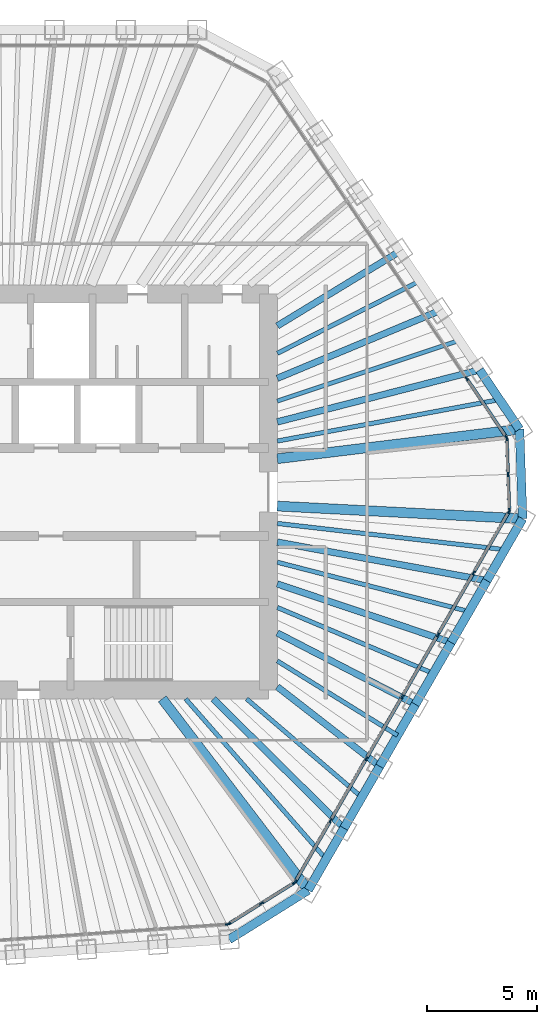
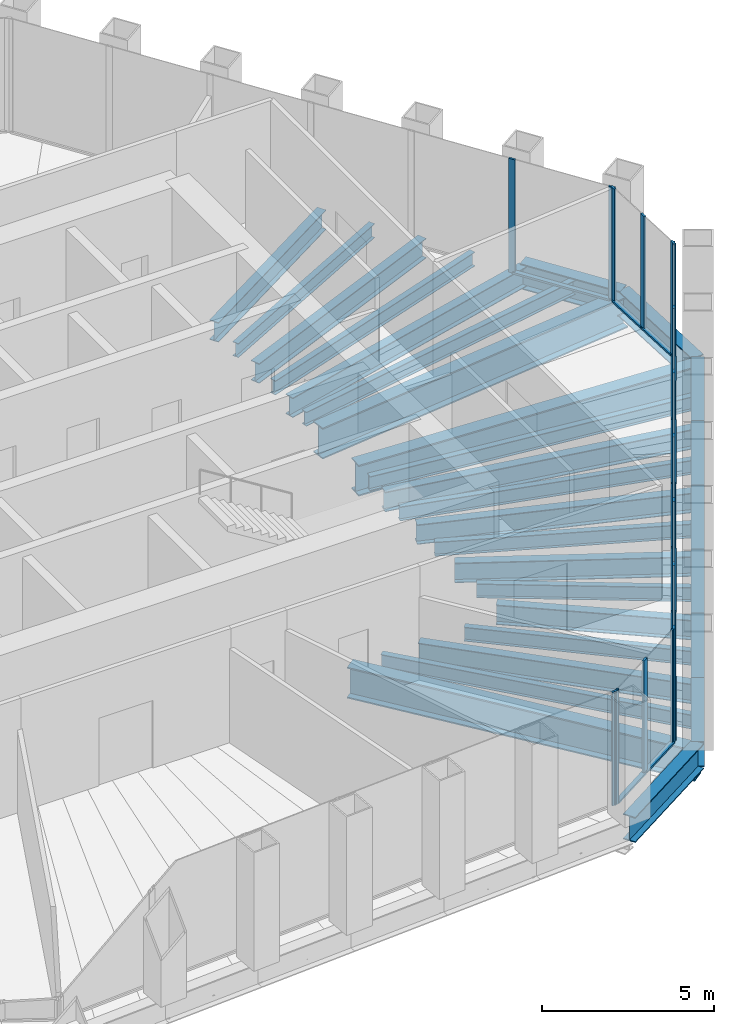
# One storey, part 5 of 14: 29 beams, 27 members, 5 elements without a shape of their own.
"""IFC4 building model written with IfcOpenShell, lengths in metres."""

from ifc_helpers import new_model, si_unit, direction, frame, origin, origin_2d, place, context, subcontext, project, spatial, rectangle, i_section, extrude, material, material_profile, profile_set, type_object, element, aggregate, save


model = new_model("IFC4")

# Units and contexts
model_context = context("Model", 3, precision=1e-05, world=origin(), true_north=direction((0.0, 1.0)))
body_context = subcontext(model_context, "Body", "Model", "MODEL_VIEW")
ifc_project = project(units=[si_unit("LENGTHUNIT", "METRE"), si_unit("AREAUNIT", "SQUARE_METRE"), si_unit("VOLUMEUNIT", "CUBIC_METRE"), si_unit("PLANEANGLEUNIT", "RADIAN"), si_unit("MASSUNIT", "GRAM", prefix="KILO")], contexts=[model_context])

# Site, building, storey
site_placement = place(None, origin())
site = spatial("IfcSite", under=ifc_project, at=site_placement, CompositionType="ELEMENT")
building_placement = place(site_placement, origin())
building = spatial("IfcBuilding", under=site, at=building_placement, Name="Qingtian Harvest Tower", CompositionType="ELEMENT")
storey_placement = place(building_placement, frame((0.0, 0.0, 316.60009765625)))
storey = spatial("IfcBuildingStorey", under=building, at=storey_placement, Name="L70", CompositionType="ELEMENT", Elevation=316.60009765625)

# Beams
ifc_material_1 = material(Name="Steel SM570MC", Category="steel")
ifc_material_profile_1 = material_profile(ifc_material_1, i_section(OverallWidth=0.449951171875, OverallDepth=1.10009765625, WebThickness=0.02197265625, FlangeThickness=0.044921875, at=origin_2d()), Name="H1100x450x22x45")
ifc_profile_set_1 = profile_set([ifc_material_profile_1], Name="Steel SM570MC")
beam_type_1 = type_object("IfcBeamType", Name="Corner floor beam FB8 H1100x450x22x45", PredefinedType="BEAM", material=ifc_profile_set_1)
beam_1_placement = place(storey_placement, frame((23.405517578125, 2.85400390625, -0.72021484375), z_axis=(-0.992647039178, -0.121044849583, 0.0), x_axis=(0.121044849583, -0.992647039178, 0.0)))
element("IfcBeam", 1, at=beam_1_placement, inside=storey, type_object=beam_type_1, Name="Floor beam FB8 NE6", PredefinedType="BEAM", context=body_context, shape_type="SweptSolid", body=[
    extrude(i_section(OverallWidth=0.449951171875, OverallDepth=1.10009765625, WebThickness=0.02197265625, FlangeThickness=0.044921875, at=origin_2d()), origin(), (0.0, 0.0, 1.0), 11.087158203125),
])
beam_2_placement = place(storey_placement, frame((23.547607421875, -1.21435546875, -0.72021484375), z_axis=(-0.998672618964, 0.051507282312, 0.0), x_axis=(-0.051507282312, -0.998672618964, 0.0)))
element("IfcBeam", 2, at=beam_2_placement, inside=storey, type_object=beam_type_1, Name="Floor beam FB8 SE0", PredefinedType="BEAM", context=body_context, shape_type="SweptSolid", body=[
    extrude(i_section(OverallWidth=0.449951171875, OverallDepth=1.10009765625, WebThickness=0.02197265625, FlangeThickness=0.044921875, at=origin_2d()), origin(), (0.0, 0.0, 1.0), 11.16259765625),
])
beam_3_placement = place(storey_placement, frame((13.803466796875, -18.091552734375, -0.72021484375), z_axis=(-0.606571927806, 0.795028613572, 0.0), x_axis=(-0.795028613572, -0.606571927806, 0.0)))
element("IfcBeam", 3, at=beam_3_placement, inside=storey, type_object=beam_type_1, Name="Floor beam FB8 SE6", PredefinedType="BEAM", context=body_context, shape_type="SweptSolid", body=[
    extrude(i_section(OverallWidth=0.449951171875, OverallDepth=1.10009765625, WebThickness=0.02197265625, FlangeThickness=0.044921875, at=origin_2d()), origin(), (0.0, 0.0, 1.0), 10.9326171875),
])
ifc_material_2 = material(Name="Steel SN490B", Category="steel")
ifc_material_profile_2 = material_profile(ifc_material_2, i_section(OverallWidth=0.300048828125, OverallDepth=0.699951171875, WebThickness=0.012939453125, FlangeThickness=0.02392578125, at=origin_2d()), Name="H700x300x13x24")
ifc_profile_set_2 = profile_set([ifc_material_profile_2], Name="Steel SN490B")
beam_type_2 = type_object("IfcBeamType", Name="Floor beam FB4 H700x300x13x24", PredefinedType="BEAM", material=ifc_profile_set_2)
beam_4_placement = place(storey_placement, frame((17.956787109375, 10.93212890625, -0.52001953125), z_axis=(-0.854157247087, -0.520014804836, 0.0), x_axis=(0.520014804836, -0.854157247087, 0.0)))
element("IfcBeam", 4, at=beam_4_placement, inside=storey, type_object=beam_type_2, Name="Floor beam FB4 NE3", PredefinedType="BEAM", context=body_context, shape_type="SweptSolid", body=[
    extrude(i_section(OverallWidth=0.300048828125, OverallDepth=0.699951171875, WebThickness=0.012939453125, FlangeThickness=0.02392578125, at=origin_2d()), origin(), (0.0, 0.0, 1.0), 6.505615234375),
])
beam_5_placement = place(storey_placement, frame((19.77294921875, 8.2392578125, -0.52001953125), z_axis=(-0.923069688542, -0.38463274704, 0.0), x_axis=(0.38463274704, -0.923069688542, 0.0)))
element("IfcBeam", 5, at=beam_5_placement, inside=storey, type_object=beam_type_2, Name="Floor beam FB4 NE4", PredefinedType="BEAM", context=body_context, shape_type="SweptSolid", body=[
    extrude(i_section(OverallWidth=0.300048828125, OverallDepth=0.699951171875, WebThickness=0.012939453125, FlangeThickness=0.02392578125, at=origin_2d()), origin(), (0.0, 0.0, 1.0), 7.987548828125),
])
beam_6_placement = place(storey_placement, frame((21.58935546875, 5.546630859375, -0.52001953125), z_axis=(-0.96854787986, -0.248827258189, 0.0), x_axis=(0.248827258189, -0.96854787986, 0.0)))
element("IfcBeam", 6, at=beam_6_placement, inside=storey, type_object=beam_type_2, Name="Floor beam FB4 NE5", PredefinedType="BEAM", context=body_context, shape_type="SweptSolid", body=[
    extrude(i_section(OverallWidth=0.300048828125, OverallDepth=0.699951171875, WebThickness=0.012939453125, FlangeThickness=0.02392578125, at=origin_2d()), origin(), (0.0, 0.0, 1.0), 9.48779296875),
])
beam_7_placement = place(storey_placement, frame((21.923583984375, -4.027099609375, -0.52001953125), z_axis=(-0.983546800525, 0.180653511389, 0.0), x_axis=(-0.180653511389, -0.983546800525, 0.0)))
element("IfcBeam", 7, at=beam_7_placement, inside=storey, type_object=beam_type_2, Name="Floor beam FB4 SE1", PredefinedType="BEAM", context=body_context, shape_type="SweptSolid", body=[
    extrude(i_section(OverallWidth=0.300048828125, OverallDepth=0.699951171875, WebThickness=0.012939453125, FlangeThickness=0.02392578125, at=origin_2d()), origin(), (0.0, 0.0, 1.0), 9.68310546875),
])
beam_8_placement = place(storey_placement, frame((20.299560546875, -6.840087890625, -0.52001953125), z_axis=(-0.947647345861, 0.319318818553, 0.0), x_axis=(-0.319318818553, -0.947647345861, 0.0)))
element("IfcBeam", 8, at=beam_8_placement, inside=storey, type_object=beam_type_2, Name="Floor beam FB4 SE2", PredefinedType="BEAM", context=body_context, shape_type="SweptSolid", body=[
    extrude(i_section(OverallWidth=0.300048828125, OverallDepth=0.699951171875, WebThickness=0.012939453125, FlangeThickness=0.02392578125, at=origin_2d()), origin(), (0.0, 0.0, 1.0), 8.336181640625),
])
beam_9_placement = place(storey_placement, frame((18.675537109375, -9.65283203125, -0.52001953125), z_axis=(-0.888354253651, 0.459158708967, 0.0), x_axis=(-0.459158708967, -0.888354253651, 0.0)))
element("IfcBeam", 9, at=beam_9_placement, inside=storey, type_object=beam_type_2, Name="Floor beam FB4 SE3", PredefinedType="BEAM", context=body_context, shape_type="SweptSolid", body=[
    extrude(i_section(OverallWidth=0.300048828125, OverallDepth=0.699951171875, WebThickness=0.012939453125, FlangeThickness=0.02392578125, at=origin_2d()), origin(), (0.0, 0.0, 1.0), 7.064453125),
])
beam_10_placement = place(storey_placement, frame((17.051513671875, -12.4658203125, -0.52001953125), z_axis=(-0.789532919969, 0.613708211029, 0.0), x_axis=(-0.613708211029, -0.789532919969, 0.0)))
element("IfcBeam", 10, at=beam_10_placement, inside=storey, type_object=beam_type_2, Name="Floor beam FB4 SE4", PredefinedType="BEAM", context=body_context, shape_type="SweptSolid", body=[
    extrude(i_section(OverallWidth=0.300048828125, OverallDepth=0.699951171875, WebThickness=0.012939453125, FlangeThickness=0.02392578125, at=origin_2d()), origin(), (0.0, 0.0, 1.0), 5.8916015625),
])
beam_11_placement = place(storey_placement, frame((15.427490234375, -15.278564453125, -0.52001953125), z_axis=(-0.71051769643, 0.703679332552, 0.0), x_axis=(-0.703679332552, -0.71051769643, 0.0)))
element("IfcBeam", 11, at=beam_11_placement, inside=storey, type_object=beam_type_2, Name="Floor beam FB4 SE5", PredefinedType="BEAM", context=body_context, shape_type="SweptSolid", body=[
    extrude(i_section(OverallWidth=0.300048828125, OverallDepth=0.699951171875, WebThickness=0.012939453125, FlangeThickness=0.02392578125, at=origin_2d()), origin(), (0.0, 0.0, 1.0), 8.354248046875),
])
ifc_material_3 = material(Name="Steel SN490B", Category="steel")
ifc_material_profile_3 = material_profile(ifc_material_3, i_section(OverallWidth=0.199951171875, OverallDepth=0.5, WebThickness=0.010009765625, FlangeThickness=0.01611328125, at=origin_2d()), Name="H500x200x10x16")
ifc_profile_set_3 = profile_set([ifc_material_profile_3], Name="Steel SN490B")
beam_type_3 = type_object("IfcBeamType", Name="Floor joist J3 H500x200x10x16", PredefinedType="JOIST", material=ifc_profile_set_3)
beam_12_placement = place(storey_placement, frame((18.864990234375, 9.585693359375, -0.420166015625), z_axis=(-0.891519956149, -0.452981421018, 0.0), x_axis=(0.452981421018, -0.891519956149, 0.0)))
element("IfcBeam", 12, at=beam_12_placement, inside=storey, type_object=beam_type_3, Name="Floor joist J3 NE3", PredefinedType="JOIST", context=body_context, shape_type="SweptSolid", body=[
    extrude(i_section(OverallWidth=0.199951171875, OverallDepth=0.5, WebThickness=0.010009765625, FlangeThickness=0.01611328125, at=origin_2d()), origin(), (0.0, 0.0, 1.0), 7.251708984375),
])
beam_13_placement = place(storey_placement, frame((20.68115234375, 6.89306640625, -0.420166015625), z_axis=(-0.948688891587, -0.316210984914, 0.0), x_axis=(0.316210984914, -0.948688891587, 0.0)))
element("IfcBeam", 13, at=beam_13_placement, inside=storey, type_object=beam_type_3, Name="Floor joist J3 NE4", PredefinedType="JOIST", context=body_context, shape_type="SweptSolid", body=[
    extrude(i_section(OverallWidth=0.199951171875, OverallDepth=0.5, WebThickness=0.010009765625, FlangeThickness=0.01611328125, at=origin_2d()), origin(), (0.0, 0.0, 1.0), 8.729248046875),
])
beam_14_placement = place(storey_placement, frame((22.49755859375, 4.2001953125, -0.420166015625), z_axis=(-0.983018248018, -0.183507831067, 0.0), x_axis=(0.183507831067, -0.983018248018, 0.0)))
element("IfcBeam", 14, at=beam_14_placement, inside=storey, type_object=beam_type_3, Name="Floor joist J3 NE5", PredefinedType="JOIST", context=body_context, shape_type="SweptSolid", body=[
    extrude(i_section(OverallWidth=0.199951171875, OverallDepth=0.5, WebThickness=0.010009765625, FlangeThickness=0.01611328125, at=origin_2d()), origin(), (0.0, 0.0, 1.0), 10.27197265625),
])
beam_15_placement = place(storey_placement, frame((22.735595703125, -2.62060546875, -0.420166015625), z_axis=(-0.993421775836, 0.114512773499, 0.0), x_axis=(-0.114512773499, -0.993421775836, 0.0)))
element("IfcBeam", 15, at=beam_15_placement, inside=storey, type_object=beam_type_3, Name="Floor joist J3 SE0", PredefinedType="JOIST", context=body_context, shape_type="SweptSolid", body=[
    extrude(i_section(OverallWidth=0.199951171875, OverallDepth=0.5, WebThickness=0.010009765625, FlangeThickness=0.01611328125, at=origin_2d()), origin(), (0.0, 0.0, 1.0), 10.404052734375),
])
beam_16_placement = place(storey_placement, frame((21.111572265625, -5.43359375, -0.420166015625), z_axis=(-0.968438109541, 0.249254143374, 0.0), x_axis=(-0.249254143374, -0.968438109541, 0.0)))
element("IfcBeam", 16, at=beam_16_placement, inside=storey, type_object=beam_type_3, Name="Floor joist J3 SE1", PredefinedType="JOIST", context=body_context, shape_type="SweptSolid", body=[
    extrude(i_section(OverallWidth=0.199951171875, OverallDepth=0.5, WebThickness=0.010009765625, FlangeThickness=0.01611328125, at=origin_2d()), origin(), (0.0, 0.0, 1.0), 8.99560546875),
])
beam_17_placement = place(storey_placement, frame((19.487548828125, -8.246337890625, -0.420166015625), z_axis=(-0.92094842321, 0.389684490052, 0.0), x_axis=(-0.389684490052, -0.92094842321, 0.0)))
element("IfcBeam", 17, at=beam_17_placement, inside=storey, type_object=beam_type_3, Name="Floor joist J3 SE2", PredefinedType="JOIST", context=body_context, shape_type="SweptSolid", body=[
    extrude(i_section(OverallWidth=0.199951171875, OverallDepth=0.5, WebThickness=0.010009765625, FlangeThickness=0.01611328125, at=origin_2d()), origin(), (0.0, 0.0, 1.0), 7.696044921875),
])
beam_18_placement = place(storey_placement, frame((17.863525390625, -11.059326171875, -0.420166015625), z_axis=(-0.850242474743, 0.526391236765, 0.0), x_axis=(-0.526391236765, -0.850242474743, 0.0)))
element("IfcBeam", 18, at=beam_18_placement, inside=storey, type_object=beam_type_3, Name="Floor joist J3 SE3", PredefinedType="JOIST", context=body_context, shape_type="SweptSolid", body=[
    extrude(i_section(OverallWidth=0.199951171875, OverallDepth=0.5, WebThickness=0.010009765625, FlangeThickness=0.01611328125, at=origin_2d()), origin(), (0.0, 0.0, 1.0), 6.426025390625),
])
beam_19_placement = place(storey_placement, frame((16.239501953125, -13.8720703125, -0.420166015625), z_axis=(-0.760351789284, 0.649511475289, 0.0), x_axis=(-0.649511475289, -0.760351789284, 0.0)))
element("IfcBeam", 19, at=beam_19_placement, inside=storey, type_object=beam_type_3, Name="Floor joist J3 SE4", PredefinedType="JOIST", context=body_context, shape_type="SweptSolid", body=[
    extrude(i_section(OverallWidth=0.199951171875, OverallDepth=0.5, WebThickness=0.010009765625, FlangeThickness=0.01611328125, at=origin_2d()), origin(), (0.0, 0.0, 1.0), 6.885498046875),
])
beam_20_placement = place(storey_placement, frame((14.615478515625, -16.68505859375, -0.420166015625), z_axis=(-0.658904284354, 0.75222679031, 0.0), x_axis=(-0.75222679031, -0.658904284354, 0.0)))
element("IfcBeam", 20, at=beam_20_placement, inside=storey, type_object=beam_type_3, Name="Floor joist J3 SE5", PredefinedType="JOIST", context=body_context, shape_type="SweptSolid", body=[
    extrude(i_section(OverallWidth=0.199951171875, OverallDepth=0.5, WebThickness=0.010009765625, FlangeThickness=0.01611328125, at=origin_2d()), origin(), (0.0, 0.0, 1.0), 9.684814453125),
])

# Curtain wall, members
ifc_material_4 = material(Name="Bronze-anodised aluminium curtain wall", Category="aluminium")
curtain_wall_type = type_object("IfcCurtainWallType", Name="Curtain wall CW5 upper office", PredefinedType="USERDEFINED", material=ifc_material_4)
curtain_wall_1_placement = place(storey_placement, origin())
curtain_wall_1 = element("IfcCurtainWall", 21, at=curtain_wall_1_placement, inside=storey, type_object=curtain_wall_type, Name="Curtain wall CW5 L70 NE0-5", ObjectType="RECESSED CURTAIN WALL", PredefinedType="USERDEFINED")
ifc_material_5 = material(Name="Bronze-anodised aluminium mullion", Category="aluminium")
ifc_material_profile_4 = material_profile(ifc_material_5, rectangle(XDim=0.06494140625, YDim=0.199951171875, at=origin_2d()), Name="AL 65x200")
ifc_profile_set_4 = profile_set([ifc_material_profile_4], Name="Bronze-anodised aluminium mullion")
member_type_1 = type_object("IfcMemberType", Name="Mullion CWM 65x200", PredefinedType="MULLION", material=ifc_profile_set_4)
member_1_placement = place(storey_placement, frame((21.009033203125, 5.1552734375, 0.0), z_axis=(0.0, 0.0, 1.0), x_axis=(0.829037572555, 0.559192903471, 0.0)))
member_1 = element("IfcMember", 22, at=member_1_placement, type_object=member_type_1, Name="CW5 mullion 6", PredefinedType="MULLION", context=body_context, shape_type="SweptSolid", body=[
    extrude(rectangle(XDim=0.06494140625, YDim=0.199951171875, at=origin_2d()), origin(), (0.0, 0.0, 1.0), 4.02978515625),
])
member_2_placement = place(storey_placement, frame((22.80712890625, 2.489501953125, 0.0), z_axis=(0.0, 0.0, 1.0), x_axis=(0.829037572555, 0.559192903471, 0.0)))
member_2 = element("IfcMember", 23, at=member_2_placement, type_object=member_type_1, Name="CW5 mullion 7", PredefinedType="MULLION", context=body_context, shape_type="SweptSolid", body=[
    extrude(rectangle(XDim=0.06494140625, YDim=0.199951171875, at=origin_2d()), origin(), (0.0, 0.0, 1.0), 4.02978515625),
])

curtain_wall_2_placement = place(storey_placement, origin())
curtain_wall_2 = element("IfcCurtainWall", 24, at=curtain_wall_2_placement, inside=storey, type_object=curtain_wall_type, Name="Curtain wall CW5 L70 NEC", ObjectType="RECESSED CURTAIN WALL", PredefinedType="USERDEFINED")
member_3_placement = place(storey_placement, frame((22.826416015625, 2.429931640625, 0.0), z_axis=(0.0, 0.0, 1.0), x_axis=(0.999390827019, 0.034899496703, 0.0)))
member_3 = element("IfcMember", 25, at=member_3_placement, type_object=member_type_1, Name="CW5 mullion 1", PredefinedType="MULLION", context=body_context, shape_type="SweptSolid", body=[
    extrude(rectangle(XDim=0.06494140625, YDim=0.199951171875, at=origin_2d()), origin(), (0.0, 0.0, 1.0), 4.02978515625),
])
member_4_placement = place(storey_placement, frame((22.88330078125, 0.799072265625, 0.0), z_axis=(0.0, 0.0, 1.0), x_axis=(0.999390827019, 0.034899496703, 0.0)))
member_4 = element("IfcMember", 26, at=member_4_placement, type_object=member_type_1, Name="CW5 mullion 2", PredefinedType="MULLION", context=body_context, shape_type="SweptSolid", body=[
    extrude(rectangle(XDim=0.06494140625, YDim=0.199951171875, at=origin_2d()), origin(), (0.0, 0.0, 1.0), 4.02978515625),
])
member_5_placement = place(storey_placement, frame((22.9404296875, -0.831787109375, 0.0), z_axis=(0.0, 0.0, 1.0), x_axis=(0.999390827019, 0.034899496703, 0.0)))
member_5 = element("IfcMember", 27, at=member_5_placement, type_object=member_type_1, Name="CW5 mullion 3", PredefinedType="MULLION", context=body_context, shape_type="SweptSolid", body=[
    extrude(rectangle(XDim=0.06494140625, YDim=0.199951171875, at=origin_2d()), origin(), (0.0, 0.0, 1.0), 4.02978515625),
])

curtain_wall_3_placement = place(storey_placement, origin())
curtain_wall_3 = element("IfcCurtainWall", 28, at=curtain_wall_3_placement, inside=storey, type_object=curtain_wall_type, Name="Curtain wall CW5 L70 SE0-5", ObjectType="RECESSED CURTAIN WALL", PredefinedType="USERDEFINED")
member_6_placement = place(storey_placement, frame((22.92529296875, -0.892333984375, 0.0), z_axis=(0.0, 0.0, 1.0), x_axis=(0.866025403784, -0.5, 0.0)))
member_6 = element("IfcMember", 29, at=member_6_placement, type_object=member_type_1, Name="CW5 mullion 1", PredefinedType="MULLION", context=body_context, shape_type="SweptSolid", body=[
    extrude(rectangle(XDim=0.06494140625, YDim=0.199951171875, at=origin_2d()), origin(), (0.0, 0.0, 1.0), 4.02978515625),
])
member_7_placement = place(storey_placement, frame((21.3173828125, -3.67724609375, 0.0), z_axis=(0.0, 0.0, 1.0), x_axis=(0.866025403784, -0.5, 0.0)))
member_7 = element("IfcMember", 30, at=member_7_placement, type_object=member_type_1, Name="CW5 mullion 2", PredefinedType="MULLION", context=body_context, shape_type="SweptSolid", body=[
    extrude(rectangle(XDim=0.06494140625, YDim=0.199951171875, at=origin_2d()), origin(), (0.0, 0.0, 1.0), 4.02978515625),
])
member_8_placement = place(storey_placement, frame((19.693359375, -6.489990234375, 0.0), z_axis=(0.0, 0.0, 1.0), x_axis=(0.866025403784, -0.5, 0.0)))
member_8 = element("IfcMember", 31, at=member_8_placement, type_object=member_type_1, Name="CW5 mullion 3", PredefinedType="MULLION", context=body_context, shape_type="SweptSolid", body=[
    extrude(rectangle(XDim=0.06494140625, YDim=0.199951171875, at=origin_2d()), origin(), (0.0, 0.0, 1.0), 4.02978515625),
])
member_9_placement = place(storey_placement, frame((18.0693359375, -9.302978515625, 0.0), z_axis=(0.0, 0.0, 1.0), x_axis=(0.866025403784, -0.5, 0.0)))
member_9 = element("IfcMember", 32, at=member_9_placement, type_object=member_type_1, Name="CW5 mullion 4", PredefinedType="MULLION", context=body_context, shape_type="SweptSolid", body=[
    extrude(rectangle(XDim=0.06494140625, YDim=0.199951171875, at=origin_2d()), origin(), (0.0, 0.0, 1.0), 4.02978515625),
])
member_10_placement = place(storey_placement, frame((16.4453125, -12.11572265625, 0.0), z_axis=(0.0, 0.0, 1.0), x_axis=(0.866025403784, -0.5, 0.0)))
member_10 = element("IfcMember", 33, at=member_10_placement, type_object=member_type_1, Name="CW5 mullion 5", PredefinedType="MULLION", context=body_context, shape_type="SweptSolid", body=[
    extrude(rectangle(XDim=0.06494140625, YDim=0.199951171875, at=origin_2d()), origin(), (0.0, 0.0, 1.0), 4.02978515625),
])
member_11_placement = place(storey_placement, frame((14.8212890625, -14.9287109375, 0.0), z_axis=(0.0, 0.0, 1.0), x_axis=(0.866025403784, -0.5, 0.0)))
member_11 = element("IfcMember", 34, at=member_11_placement, type_object=member_type_1, Name="CW5 mullion 6", PredefinedType="MULLION", context=body_context, shape_type="SweptSolid", body=[
    extrude(rectangle(XDim=0.06494140625, YDim=0.199951171875, at=origin_2d()), origin(), (0.0, 0.0, 1.0), 4.02978515625),
])
member_12_placement = place(storey_placement, frame((13.213623046875, -17.71337890625, 0.0), z_axis=(0.0, 0.0, 1.0), x_axis=(0.866025403784, -0.5, 0.0)))
member_12 = element("IfcMember", 35, at=member_12_placement, type_object=member_type_1, Name="CW5 mullion 7", PredefinedType="MULLION", context=body_context, shape_type="SweptSolid", body=[
    extrude(rectangle(XDim=0.06494140625, YDim=0.199951171875, at=origin_2d()), origin(), (0.0, 0.0, 1.0), 4.02978515625),
])

curtain_wall_4_placement = place(storey_placement, origin())
curtain_wall_4 = element("IfcCurtainWall", 36, at=curtain_wall_4_placement, inside=storey, type_object=curtain_wall_type, Name="Curtain wall CW5 L70 SEC", ObjectType="RECESSED CURTAIN WALL", PredefinedType="USERDEFINED")
member_13_placement = place(storey_placement, frame((13.169921875, -17.7587890625, 0.0), z_axis=(0.0, 0.0, 1.0), x_axis=(0.529919264233, -0.848048096156, 0.0)))
member_13 = element("IfcMember", 37, at=member_13_placement, type_object=member_type_1, Name="CW5 mullion 1", PredefinedType="MULLION", context=body_context, shape_type="SweptSolid", body=[
    extrude(rectangle(XDim=0.06494140625, YDim=0.199951171875, at=origin_2d()), origin(), (0.0, 0.0, 1.0), 4.02978515625),
])
member_14_placement = place(storey_placement, frame((11.678955078125, -18.690185546875, 0.0), z_axis=(0.0, 0.0, 1.0), x_axis=(0.529919264233, -0.848048096156, 0.0)))
member_14 = element("IfcMember", 38, at=member_14_placement, type_object=member_type_1, Name="CW5 mullion 2", PredefinedType="MULLION", context=body_context, shape_type="SweptSolid", body=[
    extrude(rectangle(XDim=0.06494140625, YDim=0.199951171875, at=origin_2d()), origin(), (0.0, 0.0, 1.0), 4.02978515625),
])
member_15_placement = place(storey_placement, frame((10.188232421875, -19.621826171875, 0.0), z_axis=(0.0, 0.0, 1.0), x_axis=(0.529919264233, -0.848048096156, 0.0)))
member_15 = element("IfcMember", 39, at=member_15_placement, type_object=member_type_1, Name="CW5 mullion 3", PredefinedType="MULLION", context=body_context, shape_type="SweptSolid", body=[
    extrude(rectangle(XDim=0.06494140625, YDim=0.199951171875, at=origin_2d()), origin(), (0.0, 0.0, 1.0), 4.02978515625),
])

# Curtain wall, member
curtain_wall_5_placement = place(storey_placement, origin())
curtain_wall_5 = element("IfcCurtainWall", 40, at=curtain_wall_5_placement, inside=storey, type_object=curtain_wall_type, Name="Curtain wall CW5 L70 S0-5", ObjectType="RECESSED CURTAIN WALL", PredefinedType="USERDEFINED")
member_16_placement = place(storey_placement, frame((10.128173828125, -19.641357421875, 0.0), z_axis=(0.0, 0.0, 1.0), x_axis=(0.069756473744, -0.99756405026, 0.0)))
member_16 = element("IfcMember", 41, at=member_16_placement, type_object=member_type_1, Name="CW5 mullion 1", PredefinedType="MULLION", context=body_context, shape_type="SweptSolid", body=[
    extrude(rectangle(XDim=0.06494140625, YDim=0.199951171875, at=origin_2d()), origin(), (0.0, 0.0, 1.0), 4.02978515625),
])
aggregate(curtain_wall_5, [member_16])

# Beams
ifc_material_6 = material(Name="Steel SN490B", Category="steel")
ifc_material_profile_5 = material_profile(ifc_material_6, i_section(OverallWidth=0.39990234375, OverallDepth=0.89990234375, WebThickness=0.01904296875, FlangeThickness=0.035888671875, at=origin_2d()), Name="H900x400x19x36")
ifc_profile_set_5 = profile_set([ifc_material_profile_5], Name="Steel SN490B")
beam_type_4 = type_object("IfcBeamType", Name="Spandrel beam SB4 H900x400x19x36", PredefinedType="SPANDREL", material=ifc_profile_set_5)
beam_21_placement = place(storey_placement, frame((21.58935546875, 5.546630859375, -0.4501953125), z_axis=(0.559184924833, -0.829042954158, 0.0), x_axis=(0.829042954158, 0.559184924833, 0.0)))
element("IfcBeam", 42, at=beam_21_placement, inside=storey, type_object=beam_type_4, Name="Spandrel SB4 NE5", PredefinedType="SPANDREL", context=body_context, shape_type="SweptSolid", body=[
    extrude(i_section(OverallWidth=0.39990234375, OverallDepth=0.89990234375, WebThickness=0.01904296875, FlangeThickness=0.035888671875, at=origin_2d()), origin(), (0.0, 0.0, 1.0), 3.247802734375),
])
beam_22_placement = place(storey_placement, frame((23.405517578125, 2.85400390625, -0.4501953125), z_axis=(0.034904306503, -0.999390659046, 0.0), x_axis=(0.999390659046, 0.034904306503, 0.0)))
element("IfcBeam", 43, at=beam_22_placement, inside=storey, type_object=beam_type_4, Name="Spandrel SB4 NEC", PredefinedType="SPANDREL", context=body_context, shape_type="SweptSolid", body=[
    extrude(i_section(OverallWidth=0.39990234375, OverallDepth=0.89990234375, WebThickness=0.01904296875, FlangeThickness=0.035888671875, at=origin_2d()), origin(), (0.0, 0.0, 1.0), 4.07080078125),
])
beam_23_placement = place(storey_placement, frame((23.547607421875, -1.21435546875, -0.4501953125), z_axis=(-0.500019593356, -0.866014091259, 0.0), x_axis=(0.866014091259, -0.500019593356, 0.0)))
element("IfcBeam", 44, at=beam_23_placement, inside=storey, type_object=beam_type_4, Name="Spandrel SB4 SE0", PredefinedType="SPANDREL", context=body_context, shape_type="SweptSolid", body=[
    extrude(i_section(OverallWidth=0.39990234375, OverallDepth=0.89990234375, WebThickness=0.01904296875, FlangeThickness=0.035888671875, at=origin_2d()), origin(), (0.0, 0.0, 1.0), 3.247802734375),
])
beam_24_placement = place(storey_placement, frame((21.923583984375, -4.027099609375, -0.4501953125), z_axis=(-0.499987045439, -0.866032882975, 0.0), x_axis=(0.866032882975, -0.499987045439, 0.0)))
element("IfcBeam", 45, at=beam_24_placement, inside=storey, type_object=beam_type_4, Name="Spandrel SB4 SE1", PredefinedType="SPANDREL", context=body_context, shape_type="SweptSolid", body=[
    extrude(i_section(OverallWidth=0.39990234375, OverallDepth=0.89990234375, WebThickness=0.01904296875, FlangeThickness=0.035888671875, at=origin_2d()), origin(), (0.0, 0.0, 1.0), 3.248046875),
])
beam_25_placement = place(storey_placement, frame((20.299560546875, -6.840087890625, -0.4501953125), z_axis=(-0.500019593356, -0.866014091259, 0.0), x_axis=(0.866014091259, -0.500019593356, 0.0)))
element("IfcBeam", 46, at=beam_25_placement, inside=storey, type_object=beam_type_4, Name="Spandrel SB4 SE2", PredefinedType="SPANDREL", context=body_context, shape_type="SweptSolid", body=[
    extrude(i_section(OverallWidth=0.39990234375, OverallDepth=0.89990234375, WebThickness=0.01904296875, FlangeThickness=0.035888671875, at=origin_2d()), origin(), (0.0, 0.0, 1.0), 3.247802734375),
])
beam_26_placement = place(storey_placement, frame((18.675537109375, -9.65283203125, -0.4501953125), z_axis=(-0.499987045439, -0.866032882975, 0.0), x_axis=(0.866032882975, -0.499987045439, 0.0)))
element("IfcBeam", 47, at=beam_26_placement, inside=storey, type_object=beam_type_4, Name="Spandrel SB4 SE3", PredefinedType="SPANDREL", context=body_context, shape_type="SweptSolid", body=[
    extrude(i_section(OverallWidth=0.39990234375, OverallDepth=0.89990234375, WebThickness=0.01904296875, FlangeThickness=0.035888671875, at=origin_2d()), origin(), (0.0, 0.0, 1.0), 3.248046875),
])
beam_27_placement = place(storey_placement, frame((17.051513671875, -12.4658203125, -0.4501953125), z_axis=(-0.500019593356, -0.866014091259, 0.0), x_axis=(0.866014091259, -0.500019593356, 0.0)))
element("IfcBeam", 48, at=beam_27_placement, inside=storey, type_object=beam_type_4, Name="Spandrel SB4 SE4", PredefinedType="SPANDREL", context=body_context, shape_type="SweptSolid", body=[
    extrude(i_section(OverallWidth=0.39990234375, OverallDepth=0.89990234375, WebThickness=0.01904296875, FlangeThickness=0.035888671875, at=origin_2d()), origin(), (0.0, 0.0, 1.0), 3.247802734375),
])
beam_28_placement = place(storey_placement, frame((15.427490234375, -15.278564453125, -0.4501953125), z_axis=(-0.499987045439, -0.866032882975, 0.0), x_axis=(0.866032882975, -0.499987045439, 0.0)))
element("IfcBeam", 49, at=beam_28_placement, inside=storey, type_object=beam_type_4, Name="Spandrel SB4 SE5", PredefinedType="SPANDREL", context=body_context, shape_type="SweptSolid", body=[
    extrude(i_section(OverallWidth=0.39990234375, OverallDepth=0.89990234375, WebThickness=0.01904296875, FlangeThickness=0.035888671875, at=origin_2d()), origin(), (0.0, 0.0, 1.0), 3.248046875),
])
beam_29_placement = place(storey_placement, frame((13.803466796875, -18.091552734375, -0.4501953125), z_axis=(-0.848040374245, -0.529931621675, 0.0), x_axis=(0.529931621675, -0.848040374245, 0.0)))
element("IfcBeam", 50, at=beam_29_placement, inside=storey, type_object=beam_type_4, Name="Spandrel SB4 SEC", PredefinedType="SPANDREL", context=body_context, shape_type="SweptSolid", body=[
    extrude(i_section(OverallWidth=0.39990234375, OverallDepth=0.89990234375, WebThickness=0.01904296875, FlangeThickness=0.035888671875, at=origin_2d()), origin(), (0.0, 0.0, 1.0), 4.238037109375),
])

# Member
ifc_material_7 = material(Name="Bronze-anodised aluminium transom", Category="aluminium")
ifc_material_profile_6 = material_profile(ifc_material_7, rectangle(XDim=0.14990234375, YDim=0.06494140625, at=origin_2d()), Name="AL 65x150")
ifc_profile_set_6 = profile_set([ifc_material_profile_6], Name="Bronze-anodised aluminium transom")
member_type_2 = type_object("IfcMemberType", Name="Transom CWT 65x150", PredefinedType="USERDEFINED", material=ifc_profile_set_6)
member_17_placement = place(storey_placement, frame((21.027099609375, 5.128173828125, 0.032470703125), z_axis=(0.559198649732, -0.829033696624, 0.0), x_axis=(0.829033696624, 0.559198649732, 0.0)))
member_17 = element("IfcMember", 51, at=member_17_placement, type_object=member_type_2, Name="CW5 transom 6.1", ObjectType="TRANSOM", PredefinedType="USERDEFINED", context=body_context, shape_type="SweptSolid", body=[
    extrude(rectangle(XDim=0.14990234375, YDim=0.06494140625, at=origin_2d()), origin(), (0.0, 0.0, 1.0), 3.150390625),
])

aggregate(curtain_wall_1, [member_1, member_2, member_17])

member_18_placement = place(storey_placement, frame((22.82763671875, 2.3974609375, 0.032470703125), z_axis=(0.034902326647, -0.999390728191, 0.0), x_axis=(0.999390728191, 0.034902326647, 0.0)))
member_18 = element("IfcMember", 52, at=member_18_placement, type_object=member_type_2, Name="CW5 transom 1.1", ObjectType="TRANSOM", PredefinedType="USERDEFINED", context=body_context, shape_type="SweptSolid", body=[
    extrude(rectangle(XDim=0.14990234375, YDim=0.06494140625, at=origin_2d()), origin(), (0.0, 0.0, 1.0), 1.56689453125),
])

member_19_placement = place(storey_placement, frame((22.884521484375, 0.7666015625, 0.032470703125), z_axis=(0.034902326647, -0.999390728191, 0.0), x_axis=(0.999390728191, 0.034902326647, 0.0)))
member_19 = element("IfcMember", 53, at=member_19_placement, type_object=member_type_2, Name="CW5 transom 2.1", ObjectType="TRANSOM", PredefinedType="USERDEFINED", context=body_context, shape_type="SweptSolid", body=[
    extrude(rectangle(XDim=0.14990234375, YDim=0.06494140625, at=origin_2d()), origin(), (0.0, 0.0, 1.0), 1.56689453125),
])

aggregate(curtain_wall_2, [member_3, member_4, member_5, member_18, member_19])

member_20_placement = place(storey_placement, frame((22.908935546875, -0.920654296875, 0.032470703125), z_axis=(-0.50000643655, -0.866021687608, 0.0), x_axis=(0.866021687608, -0.50000643655, 0.0)))
member_20 = element("IfcMember", 54, at=member_20_placement, type_object=member_type_2, Name="CW5 transom 1.1", ObjectType="TRANSOM", PredefinedType="USERDEFINED", context=body_context, shape_type="SweptSolid", body=[
    extrude(rectangle(XDim=0.14990234375, YDim=0.06494140625, at=origin_2d()), origin(), (0.0, 0.0, 1.0), 3.150390625),
])

member_21_placement = place(storey_placement, frame((21.30126953125, -3.705322265625, 0.032470703125), z_axis=(-0.5000079448, -0.866020816803, 0.0), x_axis=(0.866020816803, -0.5000079448, 0.0)))
member_21 = element("IfcMember", 55, at=member_21_placement, type_object=member_type_2, Name="CW5 transom 2.1", ObjectType="TRANSOM", PredefinedType="USERDEFINED", context=body_context, shape_type="SweptSolid", body=[
    extrude(rectangle(XDim=0.14990234375, YDim=0.06494140625, at=origin_2d()), origin(), (0.0, 0.0, 1.0), 3.18310546875),
])

member_22_placement = place(storey_placement, frame((19.67724609375, -6.51806640625, 0.032470703125), z_axis=(-0.5000079448, -0.866020816803, 0.0), x_axis=(0.866020816803, -0.5000079448, 0.0)))
member_22 = element("IfcMember", 56, at=member_22_placement, type_object=member_type_2, Name="CW5 transom 3.1", ObjectType="TRANSOM", PredefinedType="USERDEFINED", context=body_context, shape_type="SweptSolid", body=[
    extrude(rectangle(XDim=0.14990234375, YDim=0.06494140625, at=origin_2d()), origin(), (0.0, 0.0, 1.0), 3.18310546875),
])

member_23_placement = place(storey_placement, frame((18.05322265625, -9.3310546875, 0.032470703125), z_axis=(-0.5000079448, -0.866020816803, 0.0), x_axis=(0.866020816803, -0.5000079448, 0.0)))
member_23 = element("IfcMember", 57, at=member_23_placement, type_object=member_type_2, Name="CW5 transom 4.1", ObjectType="TRANSOM", PredefinedType="USERDEFINED", context=body_context, shape_type="SweptSolid", body=[
    extrude(rectangle(XDim=0.14990234375, YDim=0.06494140625, at=origin_2d()), origin(), (0.0, 0.0, 1.0), 3.18310546875),
])

member_24_placement = place(storey_placement, frame((16.42919921875, -12.143798828125, 0.032470703125), z_axis=(-0.5000079448, -0.866020816803, 0.0), x_axis=(0.866020816803, -0.5000079448, 0.0)))
member_24 = element("IfcMember", 58, at=member_24_placement, type_object=member_type_2, Name="CW5 transom 5.1", ObjectType="TRANSOM", PredefinedType="USERDEFINED", context=body_context, shape_type="SweptSolid", body=[
    extrude(rectangle(XDim=0.14990234375, YDim=0.06494140625, at=origin_2d()), origin(), (0.0, 0.0, 1.0), 3.18310546875),
])

member_25_placement = place(storey_placement, frame((14.80517578125, -14.956787109375, 0.032470703125), z_axis=(-0.499972881236, -0.866041060244, 0.0), x_axis=(0.866041060244, -0.499972881236, 0.0)))
member_25 = element("IfcMember", 59, at=member_25_placement, type_object=member_type_2, Name="CW5 transom 6.1", ObjectType="TRANSOM", PredefinedType="USERDEFINED", context=body_context, shape_type="SweptSolid", body=[
    extrude(rectangle(XDim=0.14990234375, YDim=0.06494140625, at=origin_2d()), origin(), (0.0, 0.0, 1.0), 3.150634765625),
])

aggregate(curtain_wall_3, [member_6, member_7, member_8, member_9, member_10, member_11, member_12, member_20, member_21, member_22, member_23, member_24, member_25])

member_26_placement = place(storey_placement, frame((13.142333984375, -17.77587890625, 0.032470703125), z_axis=(-0.84803880708, -0.529934129573, 0.0), x_axis=(0.529934129573, -0.84803880708, 0.0)))
member_26 = element("IfcMember", 60, at=member_26_placement, type_object=member_type_2, Name="CW5 transom 1.1", ObjectType="TRANSOM", PredefinedType="USERDEFINED", context=body_context, shape_type="SweptSolid", body=[
    extrude(rectangle(XDim=0.14990234375, YDim=0.06494140625, at=origin_2d()), origin(), (0.0, 0.0, 1.0), 1.693115234375),
])

member_27_placement = place(storey_placement, frame((11.6513671875, -18.70751953125, 0.032470703125), z_axis=(-0.847998304005, -0.529998940003, 0.0), x_axis=(0.529998940003, -0.847998304005, 0.0)))
member_27 = element("IfcMember", 61, at=member_27_placement, type_object=member_type_2, Name="CW5 transom 2.1", ObjectType="TRANSOM", PredefinedType="USERDEFINED", context=body_context, shape_type="SweptSolid", body=[
    extrude(rectangle(XDim=0.14990234375, YDim=0.06494140625, at=origin_2d()), origin(), (0.0, 0.0, 1.0), 1.69287109375),
])

aggregate(curtain_wall_4, [member_13, member_14, member_15, member_26, member_27])

save(model, "model.ifc")
